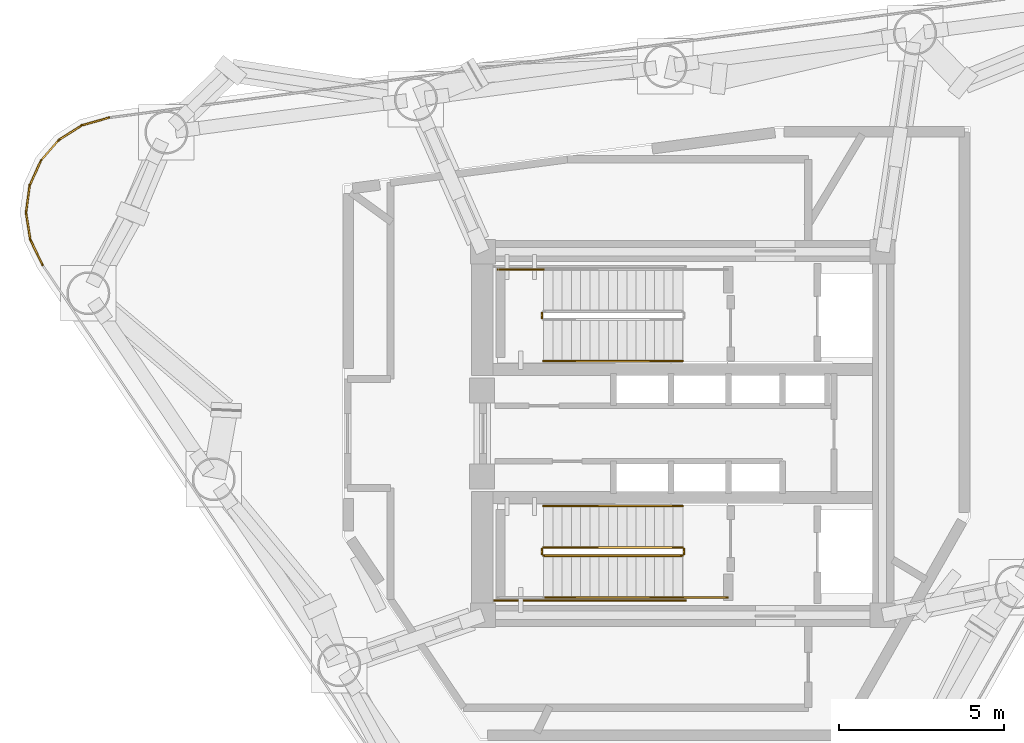
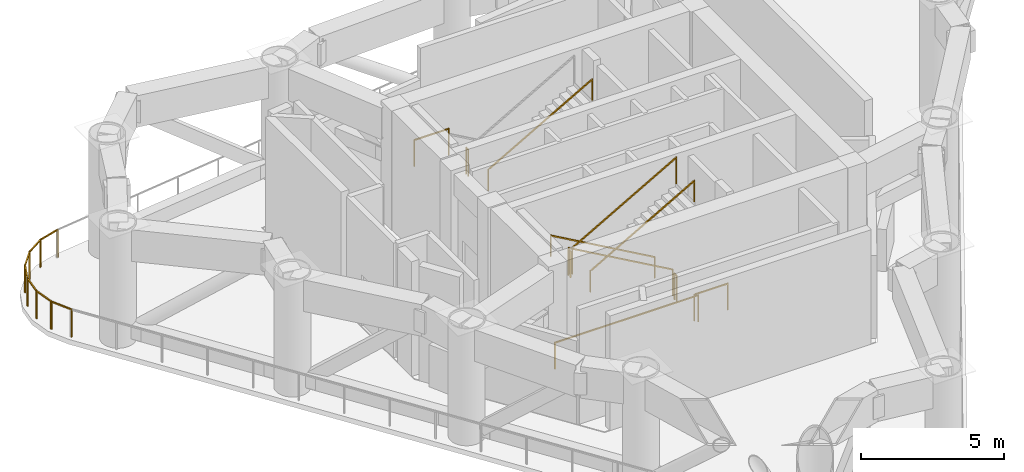
# One storey, part 7 of 10: 18 railings.
"""IFC4 building model written with IfcOpenShell, lengths in metres."""

import ifcopenshell
import ifcopenshell.guid

model = None  # the IFC model being written
_history = None  # IfcOwnerHistory: only IFC2X3 demands one
_inside = {}  # id of a spatial element -> (the spatial element, [elements in it])
_under = {}  # id of a project, library or spatial element -> (it, [spatial elements below it])
_declared = {}  # id of a project -> (the project, [libraries it declares])
_typed = {}  # id of a type object -> (the type object, [elements of that type])
_made_of = {}  # id of a material, layer set ... -> (it, [elements and type objects made of it])


def new_model(schema):
    """Start an empty IFC model of exactly this schema.

    Asked for "IFC4X3", IfcOpenShell would pick the latest addendum, in which some entities
    have other attributes; the version numbers below select the first issue.
    IFC2X3 requires an IfcOwnerHistory on every rooted entity: one is made here for all.
    """
    global model, _history
    if schema == "IFC4X3":
        model = ifcopenshell.file(schema_version=(4, 3, 0, 0))
    else:
        model = ifcopenshell.file(schema=schema)
    _inside.clear()
    _under.clear()
    _declared.clear()
    _typed.clear()
    _made_of.clear()
    _history = None
    if model.schema == "IFC2X3":
        org = make("IfcOrganization", Name="unknown")
        user = make(
            "IfcPersonAndOrganization",
            ThePerson=make("IfcPerson", FamilyName="unknown"),
            TheOrganization=org,
        )
        app = make(
            "IfcApplication",
            ApplicationDeveloper=org,
            Version="unknown",
            ApplicationFullName="unknown",
            ApplicationIdentifier="unknown",
        )
        _history = make(
            "IfcOwnerHistory",
            OwningUser=user,
            OwningApplication=app,
            ChangeAction="ADDED",
            CreationDate=0,
        )
    return model


def make(cls, **values):
    """One entity of the class cls with the attributes given. An attribute that is None is left unset."""
    return model.create_entity(
        cls, **{name: value for name, value in values.items() if value is not None}
    )


def rooted(cls, **values):
    """An entity with a GlobalId (a new one), such as an element, a storey or a relation."""
    return make(cls, GlobalId=ifcopenshell.guid.new(), OwnerHistory=_history, **values)


def si_unit(unit_type, name, prefix=None):
    """IfcSIUnit, for example si_unit("LENGTHUNIT", "METRE", prefix="MILLI")."""
    return make("IfcSIUnit", UnitType=unit_type, Prefix=prefix, Name=name)


def assignment(units):
    """IfcUnitAssignment: the units of a project."""
    return None if units is None else make("IfcUnitAssignment", Units=units)


def point(xyz):
    """IfcCartesianPoint."""
    return None if xyz is None else make("IfcCartesianPoint", Coordinates=xyz)


def direction(xyz):
    """IfcDirection."""
    return None if xyz is None else make("IfcDirection", DirectionRatios=xyz)


def frame(location, z_axis=None, x_axis=None):
    """IfcAxis2Placement3D, a coordinate frame: its origin and axes. An axis left out is left unset."""
    return make(
        "IfcAxis2Placement3D",
        Location=point(location),
        Axis=direction(z_axis),
        RefDirection=direction(x_axis),
    )


def frame_2d(location, x_axis=None):
    """IfcAxis2Placement2D, a coordinate frame in the plane: its origin and x axis."""
    return make(
        "IfcAxis2Placement2D", Location=point(location), RefDirection=direction(x_axis)
    )


def origin():
    """The frame at (0, 0, 0) with its axes left unset."""
    return frame((0.0, 0.0, 0.0))


def origin_2d():
    """The frame at (0, 0) in the plane with its x axis left unset."""
    return frame_2d((0.0, 0.0))


def place(relative_to, where):
    """IfcLocalPlacement: puts the frame where relative to a parent placement (None: the world)."""
    return make(
        "IfcLocalPlacement", PlacementRelTo=relative_to, RelativePlacement=where
    )


def context(
    kind, dimensions, precision=None, world=None, true_north=None, identifier=None
):
    """IfcGeometricRepresentationContext, for example the 3D "Model" context."""
    return make(
        "IfcGeometricRepresentationContext",
        ContextIdentifier=identifier,
        ContextType=kind,
        CoordinateSpaceDimension=dimensions,
        Precision=precision,
        WorldCoordinateSystem=world,
        TrueNorth=true_north,
    )


def subcontext(parent, identifier, kind, view, scale=None):
    """IfcGeometricRepresentationSubContext, for example "Body" below "Model"."""
    return make(
        "IfcGeometricRepresentationSubContext",
        ContextIdentifier=identifier,
        ContextType=kind,
        ParentContext=parent,
        TargetScale=scale,
        TargetView=view,
    )


def project(units=None, contexts=None):
    """IfcProject with its units and contexts."""
    return rooted(
        "IfcProject",
        Name="project",
        RepresentationContexts=contexts,
        UnitsInContext=assignment(units),
    )


def spatial(cls, under=None, at=None, **own):
    """A site, building, storey or space (cls), placed at a placement, below another one or the project."""
    s = rooted(cls, ObjectPlacement=at, **own)
    if under is not None:
        _under.setdefault(under.id(), (under, []))[1].append(s)
    return s


def profile(cls, at=None, kind="AREA", **sizes):
    """A parametric profile (cls). Its sizes go by their IFC names, for example OverallWidth=200.0."""
    return make(cls, ProfileType=kind, Position=at, **sizes)


def rectangle(**sizes):
    """IfcRectangleProfileDef."""
    return profile("IfcRectangleProfileDef", **sizes)


def extrude(swept, where, along, depth):
    """IfcExtrudedAreaSolid: the profile swept, set in the frame where, extruded along a direction by depth."""
    return make(
        "IfcExtrudedAreaSolid",
        SweptArea=swept,
        Position=where,
        ExtrudedDirection=direction(along),
        Depth=depth,
    )


def shape(context_of_items, identifier, shape_type, items):
    """IfcShapeRepresentation: the items that make up one representation, for example the "Body"."""
    return make(
        "IfcShapeRepresentation",
        ContextOfItems=context_of_items,
        RepresentationIdentifier=identifier,
        RepresentationType=shape_type,
        Items=items,
    )


def material(Name=None, Category=None):
    """IfcMaterial."""
    return make("IfcMaterial", Name=Name, Category=Category)


def made_of(thing, what):
    """Note that an element or type object is made of a material, layer set ...; save() writes the relation."""
    if what is not None:
        _made_of.setdefault(what.id(), (what, []))[1].append(thing)
    return thing


def type_object(cls, material=None, **own):
    """A type object (cls), such as IfcWallType, which elements share."""
    return made_of(rooted(cls, **own), material)


def element(
    cls,
    number,
    at=None,
    inside=None,
    cuts=None,
    type_object=None,
    material=None,
    context=None,
    identifier="Body",
    shape_type=None,
    held_by="IfcProductDefinitionShape",
    body=None,
    shapes=None,
    **own,
):
    """One element of the class cls, such as IfcWall. Its Tag is "e" and its number.

    at: its placement. inside: the storey or other place that contains it. cuts: it is an
    opening in that element (IfcRelVoidsElement). A single representation is given by context,
    identifier, shape_type and body (its items); several are given by shapes. held_by: the class
    of the entity that holds the representations. save() writes the other relations.
    """
    e = rooted(cls, Tag="e%d" % number, ObjectPlacement=at, **own)
    if body is not None:
        shapes = [shape(context, identifier, shape_type, body)]
    if shapes is not None:
        e.Representation = make(held_by, Representations=shapes)
    if inside is not None:
        _inside.setdefault(inside.id(), (inside, []))[1].append(e)
    if cuts is not None:
        rooted(
            "IfcRelVoidsElement", RelatingBuildingElement=cuts, RelatedOpeningElement=e
        )
    if type_object is not None:
        _typed.setdefault(type_object.id(), (type_object, []))[1].append(e)
    return made_of(e, material)


def aggregate(whole, parts):
    """IfcRelAggregates: a whole, such as a stair, and the parts it consists of."""
    return rooted("IfcRelAggregates", RelatingObject=whole, RelatedObjects=parts)


def save(model, path):
    """Write the relations noted so far, then the file.

    IfcRelAggregates (storeys below a building ...), IfcRelContainedInSpatialStructure (elements
    in a storey), IfcRelDefinesByType, IfcRelAssociatesMaterial and IfcRelDeclares: one each for
    every whole, place, type object, material and project.
    """
    for whole, parts in _under.values():
        aggregate(whole, parts)
    for where, things in _inside.values():
        rooted(
            "IfcRelContainedInSpatialStructure",
            RelatedElements=things,
            RelatingStructure=where,
        )
    for kind, things in _typed.values():
        rooted("IfcRelDefinesByType", RelatedObjects=things, RelatingType=kind)
    for what, things in _made_of.values():
        rooted("IfcRelAssociatesMaterial", RelatedObjects=things, RelatingMaterial=what)
    for by, libraries in _declared.values():
        rooted("IfcRelDeclares", RelatingContext=by, RelatedDefinitions=libraries)
    model.write(path)


model = new_model("IFC4")

# Units and contexts
model_context = context("Model", 3, precision=1e-05, world=origin(), true_north=direction((0.0, 1.0)))
body_context = subcontext(model_context, "Body", "Model", "MODEL_VIEW")
ifc_project = project(units=[si_unit("LENGTHUNIT", "METRE"), si_unit("AREAUNIT", "SQUARE_METRE"), si_unit("VOLUMEUNIT", "CUBIC_METRE"), si_unit("PLANEANGLEUNIT", "RADIAN"), si_unit("MASSUNIT", "GRAM", prefix="KILO")], contexts=[model_context])

# Site, building, storey
site_placement = place(None, origin())
site = spatial("IfcSite", under=ifc_project, at=site_placement, CompositionType="ELEMENT")
building_placement = place(site_placement, origin())
building = spatial("IfcBuilding", under=site, at=building_placement, Name="Yunling Apex Tower", CompositionType="ELEMENT")
storey_placement = place(building_placement, frame((0.0, 0.0, 186.35009765625)))
storey = spatial("IfcBuildingStorey", under=building, at=storey_placement, Name="RF5", CompositionType="ELEMENT", Elevation=186.35009765625)

# Railings
ifc_material_1 = material(Name="Bronze anodised aluminium", Category="aluminium")
railing_type_1 = type_object("IfcRailingType", Name="RL-BAL-1200", PredefinedType="BALUSTRADE", material=ifc_material_1)
railing_1_placement = place(storey_placement, frame((-19.380615234375, 5.097412109375, 0.0)))
element("IfcRailing", 1, at=railing_1_placement, inside=storey, type_object=railing_type_1, Name="RL-REF-RF5-02", PredefinedType="BALUSTRADE", context=body_context, shape_type="SweptSolid", body=[
    extrude(rectangle(XDim=0.0439453125, YDim=0.0439453125, at=origin_2d()), origin(), (0.0, 0.0, 1.0), 1.199951171875),
    extrude(rectangle(XDim=0.0439453125, YDim=0.0439453125, at=origin_2d()), frame((-0.377197265625, 0.7841796875, 0.0)), (0.0, 0.0, 1.0), 1.199951171875),
    extrude(rectangle(XDim=0.050048828125, YDim=0.050048828125, at=origin_2d()), frame((-0.0166015625, 0.034423828125, 1.1748046875), z_axis=(-0.433469725828, 0.901168129036, 0.0), x_axis=(-0.901168129036, -0.433469725828, 0.0)), (0.0, 0.0, 1.0), 0.79345703125),
])
railing_2_placement = place(storey_placement, frame((-19.748779296875, 5.853271484375, 0.0)))
element("IfcRailing", 2, at=railing_2_placement, inside=storey, type_object=railing_type_1, Name="RL-REF-RF5-03", PredefinedType="BALUSTRADE", context=body_context, shape_type="SweptSolid", body=[
    extrude(rectangle(XDim=0.0439453125, YDim=0.0439453125, at=origin_2d()), origin(), (0.0, 0.0, 1.0), 1.199951171875),
    extrude(rectangle(XDim=0.0439453125, YDim=0.0439453125, at=origin_2d()), frame((-0.134765625, 0.84619140625, 0.0)), (0.0, 0.0, 1.0), 1.199951171875),
    extrude(rectangle(XDim=0.050048828125, YDim=0.050048828125, at=origin_2d()), frame((-0.006103515625, 0.037841796875, 1.1748046875), z_axis=(-0.157279255913, 0.987554168468, 0.0), x_axis=(-0.987554168468, -0.157279255913, 0.0)), (0.0, 0.0, 1.0), 0.7802734375),
])
railing_3_placement = place(storey_placement, frame((-19.88330078125, 6.669921875, 0.0)))
element("IfcRailing", 3, at=railing_3_placement, inside=storey, type_object=railing_type_1, Name="RL-REF-RF5-04", PredefinedType="BALUSTRADE", context=body_context, shape_type="SweptSolid", body=[
    extrude(rectangle(XDim=0.0439453125, YDim=0.0439453125, at=origin_2d()), origin(), (0.0, 0.0, 1.0), 1.199951171875),
    extrude(rectangle(XDim=0.0439453125, YDim=0.0439453125, at=origin_2d()), frame((0.11328125, 0.849365234375, 0.0)), (0.0, 0.0, 1.0), 1.199951171875),
    extrude(rectangle(XDim=0.050048828125, YDim=0.050048828125, at=origin_2d()), frame((0.005126953125, 0.0380859375, 1.1748046875), z_axis=(0.132201045243, 0.99122292328, 0.0), x_axis=(-0.99122292328, 0.132201045243, 0.0)), (0.0, 0.0, 1.0), 0.7802734375),
])
railing_4_placement = place(storey_placement, frame((-19.778076171875, 7.49072265625, 0.0)))
element("IfcRailing", 4, at=railing_4_placement, inside=storey, type_object=railing_type_1, Name="RL-REF-RF5-05", PredefinedType="BALUSTRADE", context=body_context, shape_type="SweptSolid", body=[
    extrude(rectangle(XDim=0.0439453125, YDim=0.0439453125, at=origin_2d()), origin(), (0.0, 0.0, 1.0), 1.199951171875),
    extrude(rectangle(XDim=0.0439453125, YDim=0.0439453125, at=origin_2d()), frame((0.351806640625, 0.781494140625, 0.0)), (0.0, 0.0, 1.0), 1.199951171875),
    extrude(rectangle(XDim=0.050048828125, YDim=0.050048828125, at=origin_2d()), frame((0.015625, 0.034912109375, 1.1748046875), z_axis=(0.410494966253, 0.911862863966, 0.0), x_axis=(-0.911862863966, 0.410494966253, 0.0)), (0.0, 0.0, 1.0), 0.7802734375),
])
railing_5_placement = place(storey_placement, frame((-19.4423828125, 8.247314453125, 0.0)))
element("IfcRailing", 5, at=railing_5_placement, inside=storey, type_object=railing_type_1, Name="RL-REF-RF5-06", PredefinedType="BALUSTRADE", context=body_context, shape_type="SweptSolid", body=[
    extrude(rectangle(XDim=0.0439453125, YDim=0.0439453125, at=origin_2d()), origin(), (0.0, 0.0, 1.0), 1.199951171875),
    extrude(rectangle(XDim=0.0439453125, YDim=0.0439453125, at=origin_2d()), frame((0.560791015625, 0.648193359375, 0.0)), (0.0, 0.0, 1.0), 1.199951171875),
    extrude(rectangle(XDim=0.050048828125, YDim=0.050048828125, at=origin_2d()), frame((0.025146484375, 0.029052734375, 1.1748046875), z_axis=(0.65427964376, 0.756252700994, 0.0), x_axis=(-0.756252700994, 0.65427964376, 0.0)), (0.0, 0.0, 1.0), 0.780517578125),
])
railing_6_placement = place(storey_placement, frame((-18.904052734375, 8.8759765625, 0.0)))
element("IfcRailing", 6, at=railing_6_placement, inside=storey, type_object=railing_type_1, Name="RL-REF-RF5-07", PredefinedType="BALUSTRADE", context=body_context, shape_type="SweptSolid", body=[
    extrude(rectangle(XDim=0.0439453125, YDim=0.0439453125, at=origin_2d()), origin(), (0.0, 0.0, 1.0), 1.199951171875),
    extrude(rectangle(XDim=0.0439453125, YDim=0.0439453125, at=origin_2d()), frame((0.722900390625, 0.46044921875, 0.0)), (0.0, 0.0, 1.0), 1.199951171875),
    extrude(rectangle(XDim=0.050048828125, YDim=0.050048828125, at=origin_2d()), frame((0.0322265625, 0.0205078125, 1.1748046875), z_axis=(0.843438562419, 0.537225642932, 0.0), x_axis=(-0.537225642932, 0.843438562419, 0.0)), (0.0, 0.0, 1.0), 0.780517578125),
])
railing_7_placement = place(storey_placement, frame((-18.208251953125, 9.32421875, 0.0)))
element("IfcRailing", 7, at=railing_7_placement, inside=storey, type_object=railing_type_1, Name="RL-REF-RF5-08", PredefinedType="BALUSTRADE", context=body_context, shape_type="SweptSolid", body=[
    extrude(rectangle(XDim=0.0439453125, YDim=0.0439453125, at=origin_2d()), origin(), (0.0, 0.0, 1.0), 1.199951171875),
    extrude(rectangle(XDim=0.0439453125, YDim=0.0439453125, at=origin_2d()), frame((0.837158203125, 0.23779296875, 0.0)), (0.0, 0.0, 1.0), 1.199951171875),
    extrude(rectangle(XDim=0.050048828125, YDim=0.050048828125, at=origin_2d()), frame((0.036865234375, 0.010498046875, 1.1748046875), z_axis=(0.961946250862, 0.27323874259, 0.0), x_axis=(-0.27323874259, 0.961946250862, 0.0)), (0.0, 0.0, 1.0), 0.793701171875),
])
ifc_material_2 = material(Name="Steel Q355B", Category="steel")
railing_type_2 = type_object("IfcRailingType", Name="RL-GRD-1150", PredefinedType="GUARDRAIL", material=ifc_material_2)
railing_8_placement = place(storey_placement, frame((-4.260009765625, 3.64990234375, 2.5498046875)))
element("IfcRailing", 8, at=railing_8_placement, inside=storey, type_object=railing_type_2, Name="RF5 ST-1 stair guard 2", PredefinedType="GUARDRAIL", context=body_context, shape_type="SweptSolid", body=[
    extrude(rectangle(XDim=0.0439453125, YDim=0.0439453125, at=origin_2d()), origin(), (0.0, 0.0, 1.0), 1.14990234375),
    extrude(rectangle(XDim=0.0439453125, YDim=0.0439453125, at=origin_2d()), frame((0.0, -0.14990234375, 0.0)), (0.0, 0.0, 1.0), 1.14990234375),
    extrude(rectangle(XDim=0.050048828125, YDim=0.050048828125, at=origin_2d()), frame((0.0, -0.038330078125, 1.125), z_axis=(0.0, -1.0, 0.0), x_axis=(1.0, 0.0, 0.0)), (0.0, 0.0, 1.0), 0.0732421875),
])
railing_9_placement = place(storey_placement, frame((-4.2099609375, 4.9599609375, 2.5498046875)))
element("IfcRailing", 9, at=railing_9_placement, inside=storey, type_object=railing_type_2, Name="RF5 ST-1 stair guard 3", PredefinedType="GUARDRAIL", context=body_context, shape_type="SweptSolid", body=[
    extrude(rectangle(XDim=0.0439453125, YDim=0.0439453125, at=origin_2d()), origin(), (0.0, 0.0, 1.0), 1.14990234375),
    extrude(rectangle(XDim=0.0439453125, YDim=0.0439453125, at=origin_2d()), frame((-1.39013671875, 0.0, 0.0)), (0.0, 0.0, 1.0), 1.14990234375),
    extrude(rectangle(XDim=0.050048828125, YDim=0.050048828125, at=origin_2d()), frame((-0.038330078125, 0.0, 1.125), z_axis=(-1.0, 0.0, 0.0), x_axis=(0.0, -1.0, 0.0)), (0.0, 0.0, 1.0), 1.3134765625),
])
railing_10_placement = place(storey_placement, frame((-0.010009765625, -3.449951171875, 0.1591796875)))
element("IfcRailing", 10, at=railing_10_placement, inside=storey, type_object=railing_type_2, Name="RF5 ST-2 stair guard 1", PredefinedType="GUARDRAIL", context=body_context, shape_type="SweptSolid", body=[
    extrude(rectangle(XDim=0.0439453125, YDim=0.0439453125, at=origin_2d()), origin(), (0.0, 0.0, 1.0), 1.14990234375),
    extrude(rectangle(XDim=0.0439453125, YDim=0.0439453125, at=origin_2d()), frame((-4.199951171875, 0.0, 2.390625)), (0.0, 0.0, 1.0), 1.14990234375),
    extrude(rectangle(XDim=0.050048828125, YDim=0.050048828125, at=origin_2d()), frame((-0.033203125, 0.0, 1.143798828125), z_axis=(-0.869075089623, 0.0, 0.494680188199), x_axis=(0.0, -1.0, 0.0)), (0.0, 0.0, 1.0), 4.756103515625),
])
railing_11_placement = place(storey_placement, frame((-4.260009765625, -3.5, 2.5498046875)))
element("IfcRailing", 11, at=railing_11_placement, inside=storey, type_object=railing_type_2, Name="RF5 ST-2 stair guard 2", PredefinedType="GUARDRAIL", context=body_context, shape_type="SweptSolid", body=[
    extrude(rectangle(XDim=0.0439453125, YDim=0.0439453125, at=origin_2d()), origin(), (0.0, 0.0, 1.0), 1.14990234375),
    extrude(rectangle(XDim=0.0439453125, YDim=0.0439453125, at=origin_2d()), frame((0.0, -0.14990234375, 0.0)), (0.0, 0.0, 1.0), 1.14990234375),
    extrude(rectangle(XDim=0.050048828125, YDim=0.050048828125, at=origin_2d()), frame((0.0, -0.038330078125, 1.125), z_axis=(0.0, -1.0, 0.0), x_axis=(1.0, 0.0, 0.0)), (0.0, 0.0, 1.0), 0.0732421875),
])
railing_12_placement = place(storey_placement, frame((-4.2099609375, -3.699951171875, 2.709228515625)))
element("IfcRailing", 12, at=railing_12_placement, inside=storey, type_object=railing_type_2, Name="RF5 ST-2 stair guard 4", PredefinedType="GUARDRAIL", context=body_context, shape_type="SweptSolid", body=[
    extrude(rectangle(XDim=0.0439453125, YDim=0.0439453125, at=origin_2d()), origin(), (0.0, 0.0, 1.0), 1.14990234375),
    extrude(rectangle(XDim=0.0439453125, YDim=0.0439453125, at=origin_2d()), frame((4.199951171875, 0.0, 2.390625)), (0.0, 0.0, 1.0), 1.14990234375),
    extrude(rectangle(XDim=0.050048828125, YDim=0.050048828125, at=origin_2d()), frame((0.033203125, 0.0, 1.143798828125), z_axis=(0.869075089623, 0.0, 0.494680188199), x_axis=(0.0, 1.0, 0.0)), (0.0, 0.0, 1.0), 4.756103515625),
])
railing_13_placement = place(storey_placement, frame((0.0400390625, -3.5, 0.0)))
element("IfcRailing", 13, at=railing_13_placement, inside=storey, type_object=railing_type_2, Name="RF5 ST-2 stair guard 5", PredefinedType="GUARDRAIL", context=body_context, shape_type="SweptSolid", body=[
    extrude(rectangle(XDim=0.0439453125, YDim=0.0439453125, at=origin_2d()), origin(), (0.0, 0.0, 1.0), 1.14990234375),
    extrude(rectangle(XDim=0.0439453125, YDim=0.0439453125, at=origin_2d()), frame((0.0, -0.14990234375, 0.0)), (0.0, 0.0, 1.0), 1.14990234375),
    extrude(rectangle(XDim=0.050048828125, YDim=0.050048828125, at=origin_2d()), frame((0.0, -0.038330078125, 1.125), z_axis=(0.0, -1.0, 0.0), x_axis=(1.0, 0.0, 0.0)), (0.0, 0.0, 1.0), 0.0732421875),
])
railing_14_placement = place(storey_placement, frame((1.35009765625, -4.9599609375, 0.0)))
element("IfcRailing", 14, at=railing_14_placement, inside=storey, type_object=railing_type_2, Name="RF5 ST-2 stair guard 6", PredefinedType="GUARDRAIL", context=body_context, shape_type="SweptSolid", body=[
    extrude(rectangle(XDim=0.0439453125, YDim=0.0439453125, at=origin_2d()), origin(), (0.0, 0.0, 1.0), 1.14990234375),
    extrude(rectangle(XDim=0.0439453125, YDim=0.0439453125, at=origin_2d()), frame((-1.360107421875, 0.0, 0.0)), (0.0, 0.0, 1.0), 1.14990234375),
    extrude(rectangle(XDim=0.050048828125, YDim=0.050048828125, at=origin_2d()), frame((-0.038330078125, 0.0, 1.125), z_axis=(-1.0, 0.0, 0.0), x_axis=(0.0, -1.0, 0.0)), (0.0, 0.0, 1.0), 1.283447265625),
])
railing_15_placement = place(storey_placement, frame((0.090087890625, -5.06005859375, 0.0)))
element("IfcRailing", 15, at=railing_15_placement, inside=storey, type_object=railing_type_2, Name="RF5 ST-2 stair guard 7", PredefinedType="GUARDRAIL", context=body_context, shape_type="SweptSolid", body=[
    extrude(rectangle(XDim=0.0439453125, YDim=0.0439453125, at=origin_2d()), origin(), (0.0, 0.0, 1.0), 1.14990234375),
    extrude(rectangle(XDim=0.0439453125, YDim=0.0439453125, at=origin_2d()), frame((-5.7900390625, 0.0, 0.0)), (0.0, 0.0, 1.0), 1.14990234375),
    extrude(rectangle(XDim=0.050048828125, YDim=0.050048828125, at=origin_2d()), frame((-0.038330078125, 0.0, 1.125), z_axis=(-1.0, 0.0, 0.0), x_axis=(0.0, -1.0, 0.0)), (0.0, 0.0, 1.0), 5.71337890625),
])
ifc_material_3 = material(Name="Silver anodised aluminium", Category="aluminium")
railing_type_3 = type_object("IfcRailingType", Name="RL-HND-900", PredefinedType="HANDRAIL", material=ifc_material_3)
railing_16_placement = place(storey_placement, frame((-4.2099609375, 2.18994140625, 2.709228515625)))
element("IfcRailing", 16, at=railing_16_placement, inside=storey, type_object=railing_type_3, Name="RF5 ST-1 stair handrail 2", PredefinedType="HANDRAIL", context=body_context, shape_type="SweptSolid", body=[
    extrude(rectangle(XDim=0.0439453125, YDim=0.0439453125, at=origin_2d()), origin(), (0.0, 0.0, 1.0), 0.919921875),
    extrude(rectangle(XDim=0.0439453125, YDim=0.0439453125, at=origin_2d()), frame((4.199951171875, 0.0, 2.390625)), (0.0, 0.0, 1.0), 0.919921875),
    extrude(rectangle(XDim=0.050048828125, YDim=0.050048828125, at=origin_2d()), frame((0.033203125, 0.0, 0.913818359375), z_axis=(0.869075089623, 0.0, 0.494680188199), x_axis=(0.0, 1.0, 0.0)), (0.0, 0.0, 1.0), 4.756103515625),
])
railing_17_placement = place(storey_placement, frame((-0.010009765625, -2.18994140625, 0.1591796875)))
element("IfcRailing", 17, at=railing_17_placement, inside=storey, type_object=railing_type_3, Name="RF5 ST-2 stair handrail 1", PredefinedType="HANDRAIL", context=body_context, shape_type="SweptSolid", body=[
    extrude(rectangle(XDim=0.0439453125, YDim=0.0439453125, at=origin_2d()), origin(), (0.0, 0.0, 1.0), 0.919921875),
    extrude(rectangle(XDim=0.0439453125, YDim=0.0439453125, at=origin_2d()), frame((-4.199951171875, 0.0, 2.390625)), (0.0, 0.0, 1.0), 0.919921875),
    extrude(rectangle(XDim=0.050048828125, YDim=0.050048828125, at=origin_2d()), frame((-0.033203125, 0.0, 0.913818359375), z_axis=(-0.869075089623, 0.0, 0.494680188199), x_axis=(0.0, -1.0, 0.0)), (0.0, 0.0, 1.0), 4.756103515625),
])
railing_18_placement = place(storey_placement, frame((-4.2099609375, -4.9599609375, 2.709228515625)))
element("IfcRailing", 18, at=railing_18_placement, inside=storey, type_object=railing_type_3, Name="RF5 ST-2 stair handrail 2", PredefinedType="HANDRAIL", context=body_context, shape_type="SweptSolid", body=[
    extrude(rectangle(XDim=0.0439453125, YDim=0.0439453125, at=origin_2d()), origin(), (0.0, 0.0, 1.0), 0.919921875),
    extrude(rectangle(XDim=0.0439453125, YDim=0.0439453125, at=origin_2d()), frame((4.199951171875, 0.0, 2.390625)), (0.0, 0.0, 1.0), 0.919921875),
    extrude(rectangle(XDim=0.050048828125, YDim=0.050048828125, at=origin_2d()), frame((0.033203125, 0.0, 0.913818359375), z_axis=(0.869075089623, 0.0, 0.494680188199), x_axis=(0.0, 1.0, 0.0)), (0.0, 0.0, 1.0), 4.756103515625),
])

save(model, "model.ifc")
